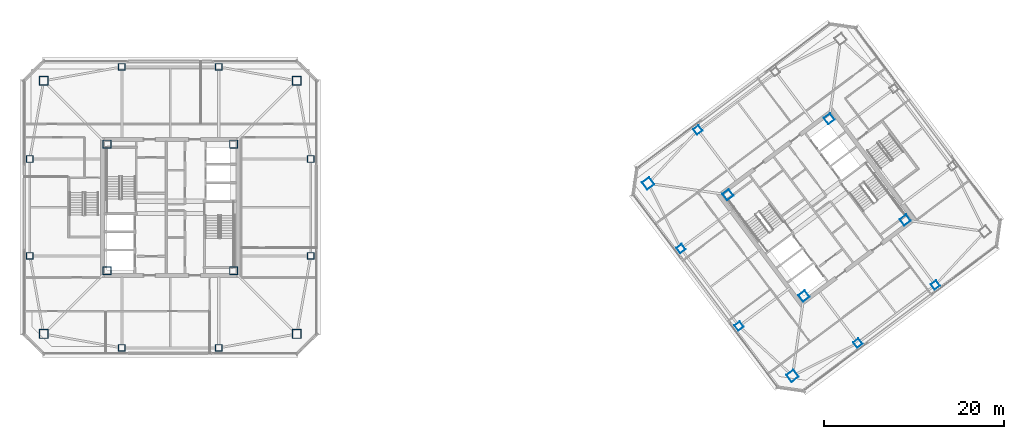
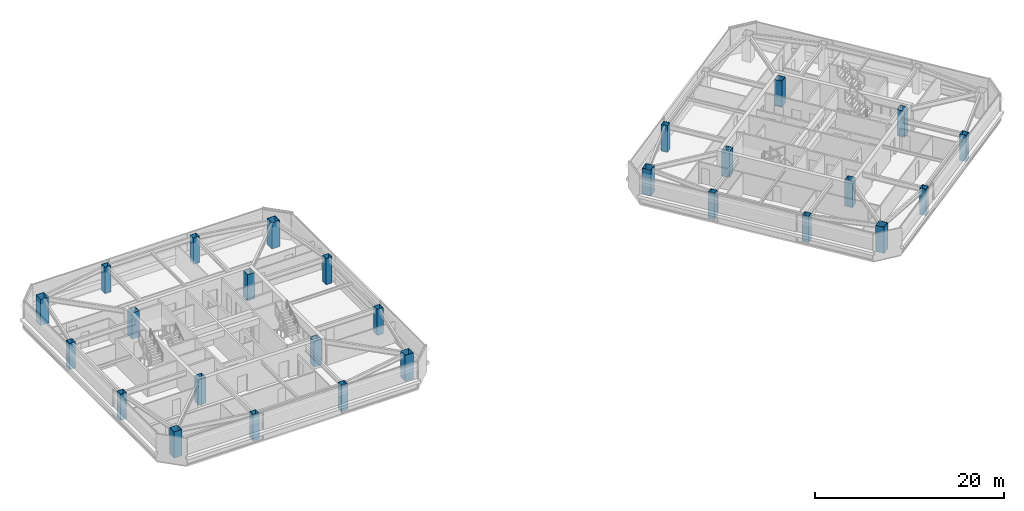
# One storey, part 1 of 39: 27 columns.
"""IFC4 building model written with IfcOpenShell, lengths in metres."""

from ifc_helpers import new_model, si_unit, direction, frame, origin, origin_2d, place, context, subcontext, project, spatial, hollow_rectangle, extrude, material, material_profile, profile_set, type_object, element, save


model = new_model("IFC4")

# Units and contexts
model_context = context("Model", 3, precision=1e-05, world=origin(), true_north=direction((0.0, 1.0)))
body_context = subcontext(model_context, "Body", "Model", "MODEL_VIEW")
ifc_project = project(units=[si_unit("LENGTHUNIT", "METRE"), si_unit("AREAUNIT", "SQUARE_METRE"), si_unit("VOLUMEUNIT", "CUBIC_METRE"), si_unit("PLANEANGLEUNIT", "RADIAN"), si_unit("MASSUNIT", "GRAM", prefix="KILO")], contexts=[model_context])

# Site, building, storey
site_placement = place(None, origin())
site = spatial("IfcSite", under=ifc_project, at=site_placement, CompositionType="ELEMENT")
building_placement = place(site_placement, origin())
building = spatial("IfcBuilding", under=site, at=building_placement, Name="Tashvorn Skyway Center", CompositionType="ELEMENT")
storey_placement = place(building_placement, frame((0.0, 0.0, 207.75)))
storey = spatial("IfcBuildingStorey", under=building, at=storey_placement, Name="L56", CompositionType="ELEMENT", Elevation=207.75)

# Columns
ifc_material = material(Name="Steel ASTM A572 Grade 50", Category="steel")
ifc_material_profile_1 = material_profile(ifc_material, hollow_rectangle(XDim=1.0, YDim=1.0, WallThickness=0.0400390625, at=origin_2d()), Name="BOX1000x1000x40")
ifc_profile_set_1 = profile_set([ifc_material_profile_1], Name="Steel ASTM A572 Grade 50")
column_type_1 = type_object("IfcColumnType", Name="COL-BOX1000x1000x40", PredefinedType="COLUMN", material=ifc_profile_set_1)
for number, where, z_axis, x_axis, name in (
    (1, (27.89990234375, 17.89990234375, 0.0), (0.0, 0.0, 1.0), (1.0, 0.0, 0.0), "Tower 1 L56 Mega-Column MC-SW"),
    (2, (56.10009765625, 17.89990234375, 0.0), (0.0, 0.0, 1.0), (1.0, 0.0, 0.0), "Tower 1 L56 Mega-Column MC-SE"),
    (3, (56.10009765625, 46.10009765625, 0.0), (0.0, 0.0, 1.0), (1.0, 0.0, 0.0), "Tower 1 L56 Mega-Column MC-NE"),
    (4, (27.89990234375, 46.10009765625, 0.0), (0.0, 0.0, 1.0), (1.0, 0.0, 0.0), "Tower 1 L56 Mega-Column MC-NW"),
    (5, (111.320068359375, 13.239990234375, 0.0), (0.0, 0.0, 1.0), (0.799999996291, 0.600000004945, 0.0), "Tower 2 L56 Mega-Column MC-SW"),
    (6, (95.239990234375, 34.679931640625, 0.0), (0.0, 0.0, 1.0), (0.799999996291, 0.600000004945, 0.0), "Tower 2 L56 Mega-Column MC-NW"),
):
    element("IfcColumn", number, at=place(storey_placement, frame(where, z_axis=z_axis, x_axis=x_axis)), inside=storey, type_object=column_type_1, Name=name, PredefinedType="COLUMN", context=body_context, shape_type="SweptSolid", body=[
        extrude(hollow_rectangle(XDim=1.0, YDim=1.0, WallThickness=0.0400390625, at=origin_2d()), origin(), (0.0, 0.0, 1.0), 3.3701171875),
    ])
ifc_material_profile_2 = material_profile(ifc_material, hollow_rectangle(XDim=0.75, YDim=0.75, WallThickness=0.031982421875, at=origin_2d()), Name="BOX750x750x32")
ifc_profile_set_2 = profile_set([ifc_material_profile_2], Name="Steel ASTM A572 Grade 50")
column_type_2 = type_object("IfcColumnType", Name="COL-BOX750x750x32", PredefinedType="COLUMN", material=ifc_profile_set_2)
for number, where, z_axis, x_axis, name in (
    (7, (36.60009765625, 16.35009765625, 0.0), (0.0, 0.0, 1.0), (1.0, 0.0, 0.0), "Tower 1 L56 Perimeter Column FC-S1"),
    (8, (47.39990234375, 16.35009765625, 0.0), (0.0, 0.0, 1.0), (1.0, 0.0, 0.0), "Tower 1 L56 Perimeter Column FC-S2"),
    (9, (57.64990234375, 26.60009765625, 0.0), (0.0, 0.0, 1.0), (1.0, 0.0, 0.0), "Tower 1 L56 Perimeter Column FC-E1"),
    (10, (57.64990234375, 37.39990234375, 0.0), (0.0, 0.0, 1.0), (1.0, 0.0, 0.0), "Tower 1 L56 Perimeter Column FC-E2"),
    (11, (47.39990234375, 47.64990234375, 0.0), (0.0, 0.0, 1.0), (1.0, 0.0, 0.0), "Tower 1 L56 Perimeter Column FC-N1"),
    (12, (36.60009765625, 47.64990234375, 0.0), (0.0, 0.0, 1.0), (1.0, 0.0, 0.0), "Tower 1 L56 Perimeter Column FC-N2"),
    (13, (26.35009765625, 37.39990234375, 0.0), (0.0, 0.0, 1.0), (1.0, 0.0, 0.0), "Tower 1 L56 Perimeter Column FC-W1"),
    (14, (26.35009765625, 26.60009765625, 0.0), (0.0, 0.0, 1.0), (1.0, 0.0, 0.0), "Tower 1 L56 Perimeter Column FC-W2"),
    (15, (118.590087890625, 16.8798828125, 0.0), (0.0, 0.0, 1.0), (0.799999996291, 0.600000004945, 0.0), "Tower 2 L56 Perimeter Column FC-S1"),
    (16, (127.22998046875, 23.360107421875, 0.0), (0.0, 0.0, 1.0), (0.799999996291, 0.600000004945, 0.0), "Tower 2 L56 Perimeter Column FC-S2"),
    (17, (100.77001953125, 40.639892578125, 0.0), (0.0, 0.0, 1.0), (0.799999996291, 0.600000004945, 0.0), "Tower 2 L56 Perimeter Column FC-N2"),
    (18, (98.8798828125, 27.409912109375, 0.0), (0.0, 0.0, 1.0), (0.799999996291, 0.600000004945, 0.0), "Tower 2 L56 Perimeter Column FC-W1"),
    (19, (105.360107421875, 18.77001953125, 0.0), (0.0, 0.0, 1.0), (0.799999996291, 0.600000004945, 0.0), "Tower 2 L56 Perimeter Column FC-W2"),
):
    element("IfcColumn", number, at=place(storey_placement, frame(where, z_axis=z_axis, x_axis=x_axis)), inside=storey, type_object=column_type_2, Name=name, PredefinedType="COLUMN", context=body_context, shape_type="SweptSolid", body=[
        extrude(hollow_rectangle(XDim=0.75, YDim=0.75, WallThickness=0.031982421875, at=origin_2d()), origin(), (0.0, 0.0, 1.0), 3.3701171875),
    ])
ifc_material_profile_3 = material_profile(ifc_material, hollow_rectangle(XDim=0.89990234375, YDim=0.89990234375, WallThickness=0.0400390625, at=origin_2d()), Name="BOX900x900x40")
ifc_profile_set_3 = profile_set([ifc_material_profile_3], Name="Steel ASTM A572 Grade 50")
column_type_3 = type_object("IfcColumnType", Name="COL-BOX900x900x40", PredefinedType="COLUMN", material=ifc_profile_set_3)
for number, where, z_axis, x_axis, name in (
    (20, (34.949951171875, 24.949951171875, 0.0), (0.0, 0.0, 1.0), (1.0, 0.0, 0.0), "Tower 1 L56 Core Corner Column CC-SW"),
    (21, (49.050048828125, 24.949951171875, 0.0), (0.0, 0.0, 1.0), (1.0, 0.0, 0.0), "Tower 1 L56 Core Corner Column CC-SE"),
    (22, (49.050048828125, 39.050048828125, 0.0), (0.0, 0.0, 1.0), (1.0, 0.0, 0.0), "Tower 1 L56 Core Corner Column CC-NE"),
    (23, (34.949951171875, 39.050048828125, 0.0), (0.0, 0.0, 1.0), (1.0, 0.0, 0.0), "Tower 1 L56 Core Corner Column CC-NW"),
    (24, (112.590087890625, 22.1298828125, 0.0), (0.0, 0.0, 1.0), (0.799999996291, 0.600000004945, 0.0), "Tower 2 L56 Core Corner Column CC-SW"),
    (25, (123.8701171875, 30.590087890625, 0.0), (0.0, 0.0, 1.0), (0.799999996291, 0.600000004945, 0.0), "Tower 2 L56 Core Corner Column CC-SE"),
    (26, (115.409912109375, 41.8701171875, 0.0), (0.0, 0.0, 1.0), (0.799999996291, 0.600000004945, 0.0), "Tower 2 L56 Core Corner Column CC-NE"),
    (27, (104.1298828125, 33.409912109375, 0.0), (0.0, 0.0, 1.0), (0.799999996291, 0.600000004945, 0.0), "Tower 2 L56 Core Corner Column CC-NW"),
):
    element("IfcColumn", number, at=place(storey_placement, frame(where, z_axis=z_axis, x_axis=x_axis)), inside=storey, type_object=column_type_3, Name=name, PredefinedType="COLUMN", context=body_context, shape_type="SweptSolid", body=[
        extrude(hollow_rectangle(XDim=0.89990234375, YDim=0.89990234375, WallThickness=0.0400390625, at=origin_2d()), origin(), (0.0, 0.0, 1.0), 3.3701171875),
    ])

save(model, "model.ifc")
